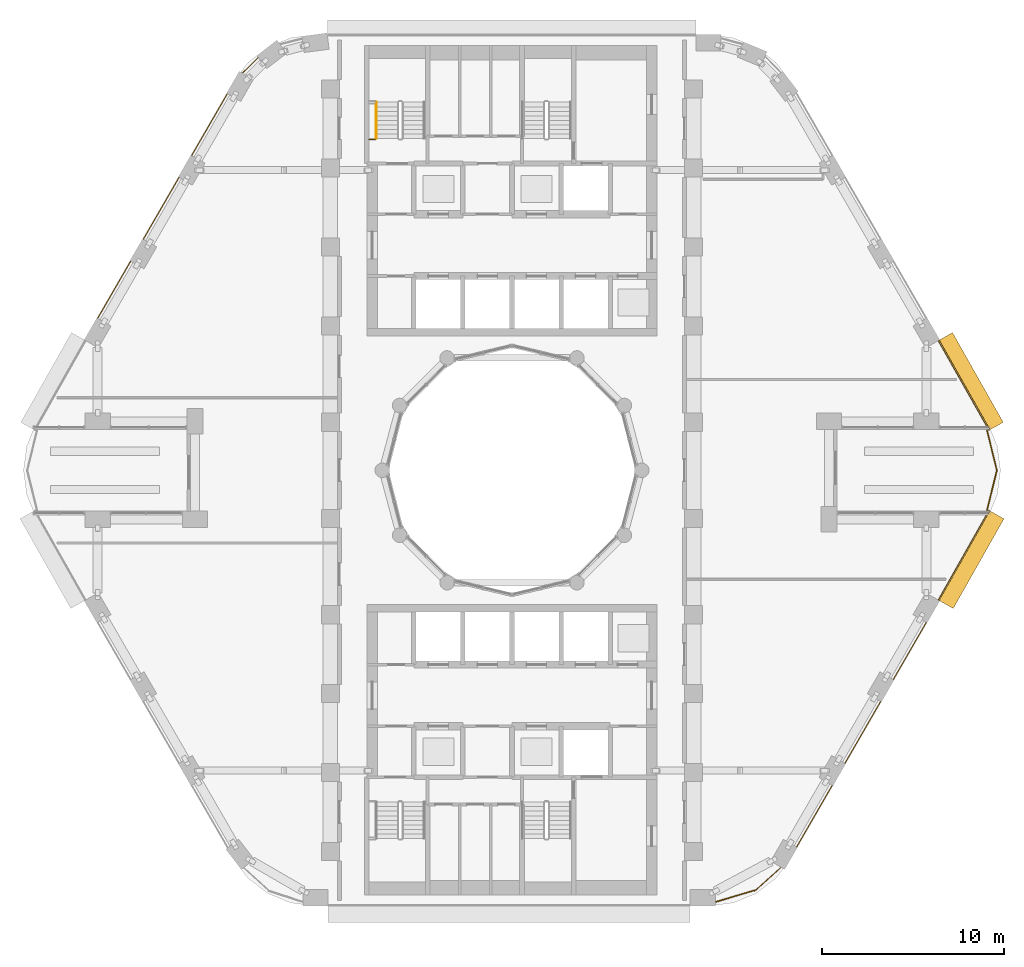
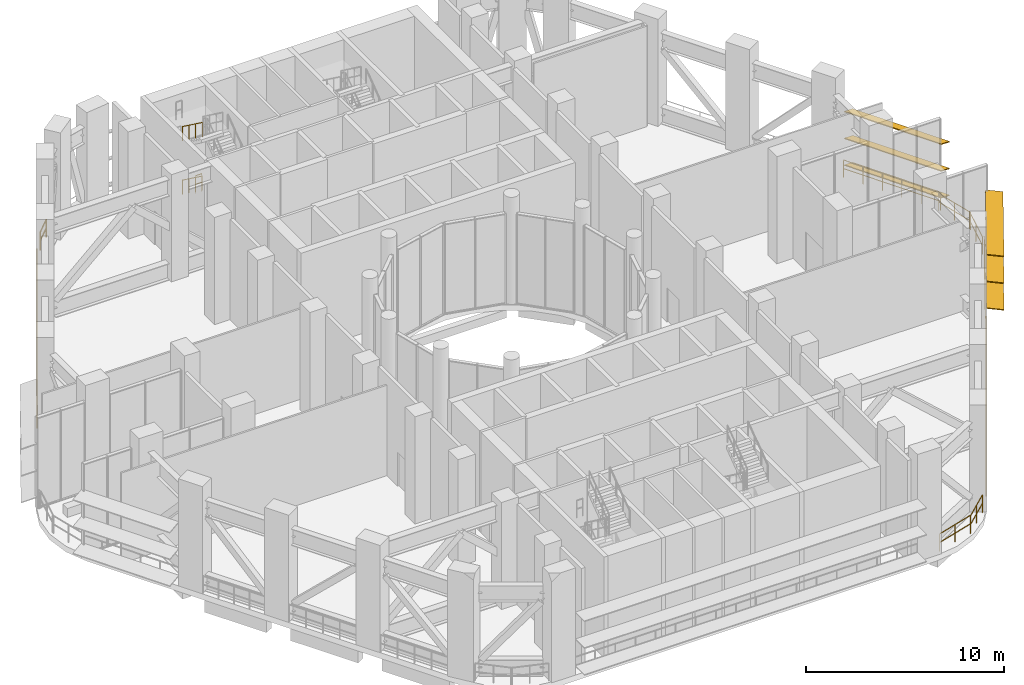
# One storey, part 18 of 21: 16 railings, 6 shading devices.
"""IFC4 building model written with IfcOpenShell, lengths in metres."""

from ifc_helpers import new_model, si_unit, direction, frame, origin, origin_2d, place, context, subcontext, project, spatial, rectangle, circle, extrude, material, material_profile, profile_set, type_object, element, save


model = new_model("IFC4")

# Units and contexts
model_context = context("Model", 3, precision=1e-05, world=origin(), true_north=direction((0.0, 1.0)))
body_context = subcontext(model_context, "Body", "Model", "MODEL_VIEW")
ifc_project = project(units=[si_unit("LENGTHUNIT", "METRE"), si_unit("AREAUNIT", "SQUARE_METRE"), si_unit("VOLUMEUNIT", "CUBIC_METRE"), si_unit("PLANEANGLEUNIT", "RADIAN"), si_unit("MASSUNIT", "GRAM", prefix="KILO")], contexts=[model_context])

# Site, building, storey
site_placement = place(None, origin())
site = spatial("IfcSite", under=ifc_project, at=site_placement, CompositionType="ELEMENT")
building_placement = place(site_placement, origin())
building = spatial("IfcBuilding", under=site, at=building_placement, Name="Nakaniwa Court", CompositionType="ELEMENT")
storey_placement = place(building_placement, frame((0.0, 0.0, 120.60009765625)))
storey = spatial("IfcBuildingStorey", under=building, at=storey_placement, Name="S2", CompositionType="ELEMENT", Elevation=120.60009765625)

# Railings
ifc_material_1 = material(Name="Black powder-coated steel flat bar balustrade S275", Category="steel")
railing_type_1 = type_object("IfcRailingType", Name="Black metal terrace guard 1100", PredefinedType="GUARDRAIL", material=ifc_material_1)
railing_1_placement = place(storey_placement, frame((106.27294921875, 82.20263671875, 0.0)))
element("IfcRailing", 1, at=railing_1_placement, inside=storey, type_object=railing_type_1, Name="S2 refuge band guard 02", PredefinedType="GUARDRAIL", context=body_context, shape_type="SweptSolid", body=[
    extrude(circle(Radius=0.02392578125, at=origin_2d()), frame((0.0, 0.0, 1.076171875), z_axis=(-0.492424278861, 0.870355289286, 0.0), x_axis=(-0.870355289286, -0.492424278861, 0.0)), (0.0, 0.0, 1.0), 5.67626953125),
    extrude(circle(Radius=0.02392578125, at=origin_2d()), frame((0.0, 0.0, 0.550048828125), z_axis=(-0.492424278861, 0.870355289286, 0.0), x_axis=(-0.870355289286, -0.492424278861, 0.0)), (0.0, 0.0, 1.0), 5.67626953125),
    extrude(circle(Radius=0.02099609375, at=origin_2d()), origin(), (0.0, 0.0, 1.0), 1.052001953125),
    extrude(circle(Radius=0.02099609375, at=origin_2d()), frame((-0.55908203125, 0.988037109375, 0.0)), (0.0, 0.0, 1.0), 1.052001953125),
    extrude(circle(Radius=0.02099609375, at=origin_2d()), frame((-1.1181640625, 1.97607421875, 0.0)), (0.0, 0.0, 1.0), 1.052001953125),
    extrude(circle(Radius=0.02099609375, at=origin_2d()), frame((-1.677001953125, 2.96435546875, 0.0)), (0.0, 0.0, 1.0), 1.052001953125),
    extrude(circle(Radius=0.02099609375, at=origin_2d()), frame((-2.236083984375, 3.952392578125, 0.0)), (0.0, 0.0, 1.0), 1.052001953125),
    extrude(circle(Radius=0.02099609375, at=origin_2d()), frame((-2.795166015625, 4.9404296875, 0.0)), (0.0, 0.0, 1.0), 1.052001953125),
])
railing_2_placement = place(storey_placement, frame((66.014892578125, 102.733642578125, 0.0)))
element("IfcRailing", 2, at=railing_2_placement, inside=storey, type_object=railing_type_1, Name="S2 refuge band guard 10", PredefinedType="GUARDRAIL", context=body_context, shape_type="SweptSolid", body=[
    extrude(circle(Radius=0.02392578125, at=origin_2d()), frame((0.0, 0.0, 1.076171875), z_axis=(-0.708951130843, -0.705257608309, 0.0), x_axis=(0.705257608309, -0.708951130843, 0.0)), (0.0, 0.0, 1.0), 1.189697265625),
    extrude(circle(Radius=0.02392578125, at=origin_2d()), frame((0.0, 0.0, 0.550048828125), z_axis=(-0.708951130843, -0.705257608309, 0.0), x_axis=(0.705257608309, -0.708951130843, 0.0)), (0.0, 0.0, 1.0), 1.189697265625),
    extrude(circle(Radius=0.02099609375, at=origin_2d()), origin(), (0.0, 0.0, 1.0), 1.052001953125),
    extrude(circle(Radius=0.02099609375, at=origin_2d()), frame((-0.843505859375, -0.839111328125, 0.0)), (0.0, 0.0, 1.0), 1.052001953125),
])
railing_3_placement = place(storey_placement, frame((64.322998046875, 100.746826171875, 0.0)))
element("IfcRailing", 3, at=railing_3_placement, inside=storey, type_object=railing_type_1, Name="S2 refuge band guard 11", PredefinedType="GUARDRAIL", context=body_context, shape_type="SweptSolid", body=[
    extrude(circle(Radius=0.02392578125, at=origin_2d()), frame((0.0, 0.0, 1.076171875), z_axis=(-0.499957037901, -0.866050206543, 0.0), x_axis=(0.866050206543, -0.499957037901, 0.0)), (0.0, 0.0, 1.0), 3.933837890625),
    extrude(circle(Radius=0.02392578125, at=origin_2d()), frame((0.0, 0.0, 0.550048828125), z_axis=(-0.499957037901, -0.866050206543, 0.0), x_axis=(0.866050206543, -0.499957037901, 0.0)), (0.0, 0.0, 1.0), 3.933837890625),
    extrude(circle(Radius=0.02099609375, at=origin_2d()), origin(), (0.0, 0.0, 1.0), 1.052001953125),
    extrude(circle(Radius=0.02099609375, at=origin_2d()), frame((-0.49169921875, -0.851806640625, 0.0)), (0.0, 0.0, 1.0), 1.052001953125),
    extrude(circle(Radius=0.02099609375, at=origin_2d()), frame((-0.9833984375, -1.70361328125, 0.0)), (0.0, 0.0, 1.0), 1.052001953125),
    extrude(circle(Radius=0.02099609375, at=origin_2d()), frame((-1.47509765625, -2.55517578125, 0.0)), (0.0, 0.0, 1.0), 1.052001953125),
    extrude(circle(Radius=0.02099609375, at=origin_2d()), frame((-1.966796875, -3.406982421875, 0.0)), (0.0, 0.0, 1.0), 1.052001953125),
])
railing_4_placement = place(storey_placement, frame((61.66015625, 96.134521484375, 0.0)))
element("IfcRailing", 4, at=railing_4_placement, inside=storey, type_object=railing_type_1, Name="S2 refuge band guard 12", PredefinedType="GUARDRAIL", context=body_context, shape_type="SweptSolid", body=[
    extrude(circle(Radius=0.02392578125, at=origin_2d()), frame((0.0, 0.0, 1.076171875), z_axis=(-0.500003583557, -0.866023334807, 0.0), x_axis=(0.866023334807, -0.500003583557, 0.0)), (0.0, 0.0, 1.0), 3.93408203125),
    extrude(circle(Radius=0.02392578125, at=origin_2d()), frame((0.0, 0.0, 0.550048828125), z_axis=(-0.500003583557, -0.866023334807, 0.0), x_axis=(0.866023334807, -0.500003583557, 0.0)), (0.0, 0.0, 1.0), 3.93408203125),
    extrude(circle(Radius=0.02099609375, at=origin_2d()), origin(), (0.0, 0.0, 1.0), 1.052001953125),
    extrude(circle(Radius=0.02099609375, at=origin_2d()), frame((-0.49169921875, -0.851806640625, 0.0)), (0.0, 0.0, 1.0), 1.052001953125),
    extrude(circle(Radius=0.02099609375, at=origin_2d()), frame((-0.9833984375, -1.70361328125, 0.0)), (0.0, 0.0, 1.0), 1.052001953125),
    extrude(circle(Radius=0.02099609375, at=origin_2d()), frame((-1.475341796875, -2.55517578125, 0.0)), (0.0, 0.0, 1.0), 1.052001953125),
    extrude(circle(Radius=0.02099609375, at=origin_2d()), frame((-1.967041015625, -3.406982421875, 0.0)), (0.0, 0.0, 1.0), 1.052001953125),
])
railing_5_placement = place(storey_placement, frame((58.9970703125, 91.52197265625, 0.0)))
element("IfcRailing", 5, at=railing_5_placement, inside=storey, type_object=railing_type_1, Name="S2 refuge band guard 13", PredefinedType="GUARDRAIL", context=body_context, shape_type="SweptSolid", body=[
    extrude(circle(Radius=0.02392578125, at=origin_2d()), frame((0.0, 0.0, 1.076171875), z_axis=(-0.499980071345, -0.866036909293, 0.0), x_axis=(0.866036909293, -0.499980071345, 0.0)), (0.0, 0.0, 1.0), 3.636962890625),
    extrude(circle(Radius=0.02392578125, at=origin_2d()), frame((0.0, 0.0, 0.550048828125), z_axis=(-0.499980071345, -0.866036909293, 0.0), x_axis=(0.866036909293, -0.499980071345, 0.0)), (0.0, 0.0, 1.0), 3.636962890625),
    extrude(circle(Radius=0.02099609375, at=origin_2d()), origin(), (0.0, 0.0, 1.0), 1.052001953125),
    extrude(circle(Radius=0.02099609375, at=origin_2d()), frame((-0.45458984375, -0.787353515625, 0.0)), (0.0, 0.0, 1.0), 1.052001953125),
    extrude(circle(Radius=0.02099609375, at=origin_2d()), frame((-0.9091796875, -1.57470703125, 0.0)), (0.0, 0.0, 1.0), 1.052001953125),
    extrude(circle(Radius=0.02099609375, at=origin_2d()), frame((-1.36376953125, -2.3623046875, 0.0)), (0.0, 0.0, 1.0), 1.052001953125),
    extrude(circle(Radius=0.02099609375, at=origin_2d()), frame((-1.818359375, -3.149658203125, 0.0)), (0.0, 0.0, 1.0), 1.052001953125),
])
railing_6_placement = place(storey_placement, frame((91.231689453125, 56.23388671875, 0.0)))
element("IfcRailing", 6, at=railing_6_placement, inside=storey, type_object=railing_type_1, Name="S2 refuge band guard 27", PredefinedType="GUARDRAIL", context=body_context, shape_type="SweptSolid", body=[
    extrude(circle(Radius=0.02392578125, at=origin_2d()), frame((0.0, 0.0, 1.076171875), z_axis=(0.958486145198, 0.285139105462, 0.0), x_axis=(-0.285139105462, 0.958486145198, 0.0)), (0.0, 0.0, 1.0), 2.26220703125),
    extrude(circle(Radius=0.02392578125, at=origin_2d()), frame((0.0, 0.0, 0.550048828125), z_axis=(0.958486145198, 0.285139105462, 0.0), x_axis=(-0.285139105462, 0.958486145198, 0.0)), (0.0, 0.0, 1.0), 2.26220703125),
    extrude(circle(Radius=0.02099609375, at=origin_2d()), origin(), (0.0, 0.0, 1.0), 1.052001953125),
    extrude(circle(Radius=0.02099609375, at=origin_2d()), frame((1.083984375, 0.322509765625, 0.0)), (0.0, 0.0, 1.0), 1.052001953125),
    extrude(circle(Radius=0.02099609375, at=origin_2d()), frame((2.168212890625, 0.64501953125, 0.0)), (0.0, 0.0, 1.0), 1.052001953125),
])
railing_7_placement = place(storey_placement, frame((93.350341796875, 56.812255859375, 0.0)))
element("IfcRailing", 7, at=railing_7_placement, inside=storey, type_object=railing_type_1, Name="S2 refuge band guard 28", PredefinedType="GUARDRAIL", context=body_context, shape_type="SweptSolid", body=[
    extrude(circle(Radius=0.02392578125, at=origin_2d()), frame((0.0, 0.0, 1.076171875), z_axis=(0.743785734967, 0.668418117992, 0.0), x_axis=(-0.668418117992, 0.743785734967, 0.0)), (0.0, 0.0, 1.0), 1.9501953125),
    extrude(circle(Radius=0.02392578125, at=origin_2d()), frame((0.0, 0.0, 0.550048828125), z_axis=(0.743785734967, 0.668418117992, 0.0), x_axis=(-0.668418117992, 0.743785734967, 0.0)), (0.0, 0.0, 1.0), 1.9501953125),
    extrude(circle(Radius=0.02099609375, at=origin_2d()), origin(), (0.0, 0.0, 1.0), 1.052001953125),
    extrude(circle(Radius=0.02099609375, at=origin_2d()), frame((0.72509765625, 0.65185546875, 0.0)), (0.0, 0.0, 1.0), 1.052001953125),
    extrude(circle(Radius=0.02099609375, at=origin_2d()), frame((1.450439453125, 1.303466796875, 0.0)), (0.0, 0.0, 1.0), 1.052001953125),
])
railing_8_placement = place(storey_placement, frame((95.677001953125, 59.253173828125, 0.0)))
element("IfcRailing", 8, at=railing_8_placement, inside=storey, type_object=railing_type_1, Name="S2 refuge band guard 29", PredefinedType="GUARDRAIL", context=body_context, shape_type="SweptSolid", body=[
    extrude(circle(Radius=0.02392578125, at=origin_2d()), frame((0.0, 0.0, 1.076171875), z_axis=(0.499957037901, 0.866050206543, 0.0), x_axis=(-0.866050206543, 0.499957037901, 0.0)), (0.0, 0.0, 1.0), 3.933837890625),
    extrude(circle(Radius=0.02392578125, at=origin_2d()), frame((0.0, 0.0, 0.550048828125), z_axis=(0.499957037901, 0.866050206543, 0.0), x_axis=(-0.866050206543, 0.499957037901, 0.0)), (0.0, 0.0, 1.0), 3.933837890625),
    extrude(circle(Radius=0.02099609375, at=origin_2d()), origin(), (0.0, 0.0, 1.0), 1.052001953125),
    extrude(circle(Radius=0.02099609375, at=origin_2d()), frame((0.49169921875, 0.851806640625, 0.0)), (0.0, 0.0, 1.0), 1.052001953125),
    extrude(circle(Radius=0.02099609375, at=origin_2d()), frame((0.9833984375, 1.70361328125, 0.0)), (0.0, 0.0, 1.0), 1.052001953125),
    extrude(circle(Radius=0.02099609375, at=origin_2d()), frame((1.47509765625, 2.55517578125, 0.0)), (0.0, 0.0, 1.0), 1.052001953125),
    extrude(circle(Radius=0.02099609375, at=origin_2d()), frame((1.966796875, 3.406982421875, 0.0)), (0.0, 0.0, 1.0), 1.052001953125),
])
railing_9_placement = place(storey_placement, frame((98.33984375, 63.865478515625, 0.0)))
element("IfcRailing", 9, at=railing_9_placement, inside=storey, type_object=railing_type_1, Name="S2 refuge band guard 30", PredefinedType="GUARDRAIL", context=body_context, shape_type="SweptSolid", body=[
    extrude(circle(Radius=0.02392578125, at=origin_2d()), frame((0.0, 0.0, 1.076171875), z_axis=(0.500003583557, 0.866023334807, 0.0), x_axis=(-0.866023334807, 0.500003583557, 0.0)), (0.0, 0.0, 1.0), 3.93408203125),
    extrude(circle(Radius=0.02392578125, at=origin_2d()), frame((0.0, 0.0, 0.550048828125), z_axis=(0.500003583557, 0.866023334807, 0.0), x_axis=(-0.866023334807, 0.500003583557, 0.0)), (0.0, 0.0, 1.0), 3.93408203125),
    extrude(circle(Radius=0.02099609375, at=origin_2d()), origin(), (0.0, 0.0, 1.0), 1.052001953125),
    extrude(circle(Radius=0.02099609375, at=origin_2d()), frame((0.49169921875, 0.851806640625, 0.0)), (0.0, 0.0, 1.0), 1.052001953125),
    extrude(circle(Radius=0.02099609375, at=origin_2d()), frame((0.9833984375, 1.70361328125, 0.0)), (0.0, 0.0, 1.0), 1.052001953125),
    extrude(circle(Radius=0.02099609375, at=origin_2d()), frame((1.475341796875, 2.55517578125, 0.0)), (0.0, 0.0, 1.0), 1.052001953125),
    extrude(circle(Radius=0.02099609375, at=origin_2d()), frame((1.967041015625, 3.406982421875, 0.0)), (0.0, 0.0, 1.0), 1.052001953125),
])
railing_10_placement = place(storey_placement, frame((101.0029296875, 68.47802734375, 0.0)))
element("IfcRailing", 10, at=railing_10_placement, inside=storey, type_object=railing_type_1, Name="S2 refuge band guard 31", PredefinedType="GUARDRAIL", context=body_context, shape_type="SweptSolid", body=[
    extrude(circle(Radius=0.02392578125, at=origin_2d()), frame((0.0, 0.0, 1.076171875), z_axis=(0.499980071345, 0.866036909293, 0.0), x_axis=(-0.866036909293, 0.499980071345, 0.0)), (0.0, 0.0, 1.0), 3.636962890625),
    extrude(circle(Radius=0.02392578125, at=origin_2d()), frame((0.0, 0.0, 0.550048828125), z_axis=(0.499980071345, 0.866036909293, 0.0), x_axis=(-0.866036909293, 0.499980071345, 0.0)), (0.0, 0.0, 1.0), 3.636962890625),
    extrude(circle(Radius=0.02099609375, at=origin_2d()), origin(), (0.0, 0.0, 1.0), 1.052001953125),
    extrude(circle(Radius=0.02099609375, at=origin_2d()), frame((0.45458984375, 0.787353515625, 0.0)), (0.0, 0.0, 1.0), 1.052001953125),
    extrude(circle(Radius=0.02099609375, at=origin_2d()), frame((0.9091796875, 1.57470703125, 0.0)), (0.0, 0.0, 1.0), 1.052001953125),
    extrude(circle(Radius=0.02099609375, at=origin_2d()), frame((1.36376953125, 2.3623046875, 0.0)), (0.0, 0.0, 1.0), 1.052001953125),
    extrude(circle(Radius=0.02099609375, at=origin_2d()), frame((1.818359375, 3.149658203125, 0.0)), (0.0, 0.0, 1.0), 1.052001953125),
])
railing_11_placement = place(storey_placement, frame((103.477783203125, 72.85693359375, 0.0)))
element("IfcRailing", 11, at=railing_11_placement, inside=storey, type_object=railing_type_1, Name="S2 refuge band guard 32", PredefinedType="GUARDRAIL", context=body_context, shape_type="SweptSolid", body=[
    extrude(circle(Radius=0.02392578125, at=origin_2d()), frame((0.0, 0.0, 1.076171875), z_axis=(0.492424278861, 0.870355289286, 0.0), x_axis=(-0.870355289286, 0.492424278861, 0.0)), (0.0, 0.0, 1.0), 5.67626953125),
    extrude(circle(Radius=0.02392578125, at=origin_2d()), frame((0.0, 0.0, 0.550048828125), z_axis=(0.492424278861, 0.870355289286, 0.0), x_axis=(-0.870355289286, 0.492424278861, 0.0)), (0.0, 0.0, 1.0), 5.67626953125),
    extrude(circle(Radius=0.02099609375, at=origin_2d()), origin(), (0.0, 0.0, 1.0), 1.052001953125),
    extrude(circle(Radius=0.02099609375, at=origin_2d()), frame((0.55908203125, 0.988037109375, 0.0)), (0.0, 0.0, 1.0), 1.052001953125),
    extrude(circle(Radius=0.02099609375, at=origin_2d()), frame((1.1181640625, 1.97607421875, 0.0)), (0.0, 0.0, 1.0), 1.052001953125),
    extrude(circle(Radius=0.02099609375, at=origin_2d()), frame((1.677001953125, 2.96435546875, 0.0)), (0.0, 0.0, 1.0), 1.052001953125),
    extrude(circle(Radius=0.02099609375, at=origin_2d()), frame((2.236083984375, 3.952392578125, 0.0)), (0.0, 0.0, 1.0), 1.052001953125),
    extrude(circle(Radius=0.02099609375, at=origin_2d()), frame((2.795166015625, 4.9404296875, 0.0)), (0.0, 0.0, 1.0), 1.052001953125),
])
railing_12_placement = place(storey_placement, frame((106.1640625, 77.79736328125, 0.0)))
element("IfcRailing", 12, at=railing_12_placement, inside=storey, type_object=railing_type_1, Name="S2 sky garden terrace 2 guard 1", PredefinedType="GUARDRAIL", context=body_context, shape_type="SweptSolid", body=[
    extrude(circle(Radius=0.02392578125, at=origin_2d()), frame((0.0, 0.0, 1.076171875), z_axis=(0.238169012128, 0.971223723795, 0.0), x_axis=(-0.971223723795, 0.238169012128, 0.0)), (0.0, 0.0, 1.0), 2.316650390625),
    extrude(circle(Radius=0.02392578125, at=origin_2d()), frame((0.0, 0.0, 0.550048828125), z_axis=(0.238169012128, 0.971223723795, 0.0), x_axis=(-0.971223723795, 0.238169012128, 0.0)), (0.0, 0.0, 1.0), 2.316650390625),
    extrude(circle(Radius=0.02099609375, at=origin_2d()), origin(), (0.0, 0.0, 1.0), 1.052001953125),
    extrude(circle(Radius=0.02099609375, at=origin_2d()), frame((0.27587890625, 1.125, 0.0)), (0.0, 0.0, 1.0), 1.052001953125),
    extrude(circle(Radius=0.02099609375, at=origin_2d()), frame((0.5517578125, 2.25, 0.0)), (0.0, 0.0, 1.0), 1.052001953125),
])
railing_13_placement = place(storey_placement, frame((106.7158203125, 79.95263671875, 0.0)))
element("IfcRailing", 13, at=railing_13_placement, inside=storey, type_object=railing_type_1, Name="S2 sky garden terrace 2 guard 2", PredefinedType="GUARDRAIL", context=body_context, shape_type="SweptSolid", body=[
    extrude(circle(Radius=0.02392578125, at=origin_2d()), frame((0.0, 0.0, 1.076171875), z_axis=(-0.238169012128, 0.971223723795, 0.0), x_axis=(-0.971223723795, -0.238169012128, 0.0)), (0.0, 0.0, 1.0), 2.316650390625),
    extrude(circle(Radius=0.02392578125, at=origin_2d()), frame((0.0, 0.0, 0.550048828125), z_axis=(-0.238169012128, 0.971223723795, 0.0), x_axis=(-0.971223723795, -0.238169012128, 0.0)), (0.0, 0.0, 1.0), 2.316650390625),
    extrude(circle(Radius=0.02099609375, at=origin_2d()), origin(), (0.0, 0.0, 1.0), 1.052001953125),
    extrude(circle(Radius=0.02099609375, at=origin_2d()), frame((-0.27587890625, 1.125, 0.0)), (0.0, 0.0, 1.0), 1.052001953125),
    extrude(circle(Radius=0.02099609375, at=origin_2d()), frame((-0.5517578125, 2.25, 0.0)), (0.0, 0.0, 1.0), 1.052001953125),
])

# Shading devices
ifc_material_2 = material(Name="Perforated charcoal ceramic louvre blade")
ifc_material_profile = material_profile(ifc_material_2, rectangle(XDim=0.89990234375, YDim=0.050048828125, at=origin_2d()), Name="Perforated ceramic louvre blade")
ifc_profile_set = profile_set([ifc_material_profile], Name="Perforated charcoal ceramic louvre blade")
shading_device_type = type_object("IfcShadingDeviceType", Name="Perforated ceramic louvre blade", PredefinedType="JALOUSIE", material=ifc_profile_set)
for number, where, z_axis, x_axis, name in (
    (14, (106.68701171875, 82.436767578125, 0.5498046875), (-0.492456858874, 0.870336855561, 0.0), (-0.804666487716, -0.455299035597, 0.38107037635), "S2 perforated ceramic louvre blade s02 1"),
    (15, (106.68701171875, 82.436767578125, 2.199951171875), (-0.492456858874, 0.870336855561, 0.0), (-0.804666487716, -0.455299035597, 0.38107037635), "S2 perforated ceramic louvre blade s02 2"),
    (16, (106.68701171875, 82.436767578125, 3.849853515625), (-0.492456858874, 0.870336855561, 0.0), (-0.804666487716, -0.455299035597, 0.38107037635), "S2 perforated ceramic louvre blade s02 3"),
):
    element("IfcShadingDevice", number, at=place(storey_placement, frame(where, z_axis=z_axis, x_axis=x_axis)), inside=storey, type_object=shading_device_type, Name=name, PredefinedType="JALOUSIE", context=body_context, shape_type="SweptSolid", body=[
        extrude(rectangle(XDim=0.89990234375, YDim=0.050048828125, at=origin_2d()), origin(), (0.0, 0.0, 1.0), 5.676513671875),
    ])
for number, where, z_axis, x_axis, name in (
    (17, (103.912353515625, 72.611083984375, 0.5498046875), (0.492424278861, 0.870355289286, 0.0), (-0.86270968828, 0.488098597604, 0.132256390257), "S2 perforated ceramic louvre blade s32 1"),
    (18, (103.912353515625, 72.611083984375, 2.199951171875), (0.492424278861, 0.870355289286, 0.0), (-0.86270968828, 0.488098597604, 0.132256390257), "S2 perforated ceramic louvre blade s32 2"),
    (19, (103.912353515625, 72.611083984375, 3.849853515625), (0.492424278861, 0.870355289286, 0.0), (-0.86270968828, 0.488098597604, 0.132256390257), "S2 perforated ceramic louvre blade s32 3"),
):
    element("IfcShadingDevice", number, at=place(storey_placement, frame(where, z_axis=z_axis, x_axis=x_axis)), inside=storey, type_object=shading_device_type, Name=name, PredefinedType="JALOUSIE", context=body_context, shape_type="SweptSolid", body=[
        extrude(rectangle(XDim=0.89990234375, YDim=0.050048828125, at=origin_2d()), origin(), (0.0, 0.0, 1.0), 5.67626953125),
    ])

# Railings
ifc_material_3 = material(Name="Black powder coated steel guard", Category="steel")
railing_type_2 = type_object("IfcRailingType", Name="Stair guard 1100", PredefinedType="GUARDRAIL", material=ifc_material_3)
railing_14_placement = place(storey_placement, frame((72.125, 98.22509765625, 3.2998046875)))
element("IfcRailing", 20, at=railing_14_placement, inside=storey, type_object=railing_type_2, Name="S2 ST1 landing side guard 2W", PredefinedType="GUARDRAIL", context=body_context, shape_type="SweptSolid", body=[
    extrude(circle(Radius=0.02392578125, at=origin_2d()), frame((0.0, 0.0, 1.076171875), z_axis=(1.0, 0.0, 0.0), x_axis=(0.0, 1.0, 0.0)), (0.0, 0.0, 1.0), 0.35009765625),
    extrude(circle(Radius=0.02392578125, at=origin_2d()), frame((0.0, 0.0, 0.550048828125), z_axis=(1.0, 0.0, 0.0), x_axis=(0.0, 1.0, 0.0)), (0.0, 0.0, 1.0), 0.35009765625),
    extrude(circle(Radius=0.02099609375, at=origin_2d()), origin(), (0.0, 0.0, 1.0), 1.052001953125),
    extrude(circle(Radius=0.02099609375, at=origin_2d()), frame((0.35009765625, 0.0, 0.0)), (0.0, 0.0, 1.0), 1.052001953125),
])
ifc_material_4 = material(Name="Black powder coated steel handrail", Category="steel")
railing_type_3 = type_object("IfcRailingType", Name="Stair handrail 900", PredefinedType="HANDRAIL", material=ifc_material_4)
for number, where, name in (
    (21, (72.52490234375, 100.27490234375, 1.833251953125), "S2 ST1 stair handrail 2"),
    (22, (72.52490234375, 100.27490234375, 5.13330078125), "S2 ST1 stair handrail 4"),
):
    element("IfcRailing", number, at=place(storey_placement, frame(where)), inside=storey, type_object=railing_type_3, Name=name, PredefinedType="HANDRAIL", context=body_context, shape_type="SweptSolid", body=[
        extrude(circle(Radius=0.02392578125, at=origin_2d()), frame((0.0, 0.0, 0.8759765625), z_axis=(0.0, -0.806426902644, 0.591333789573), x_axis=(1.0, 0.0, 0.0)), (0.0, 0.0, 1.0), 2.47998046875),
        extrude(circle(Radius=0.02099609375, at=origin_2d()), origin(), (0.0, 0.0, 1.0), 0.851806640625),
        extrude(circle(Radius=0.02099609375, at=origin_2d()), frame((0.0, -0.666748046875, 0.48876953125)), (0.0, 0.0, 1.0), 0.851806640625),
        extrude(circle(Radius=0.02099609375, at=origin_2d()), frame((0.0, -1.333251953125, 0.977783203125)), (0.0, 0.0, 1.0), 0.851806640625),
        extrude(circle(Radius=0.02099609375, at=origin_2d()), frame((0.0, -2.0, 1.466552734375)), (0.0, 0.0, 1.0), 0.851806640625),
    ])

save(model, "model.ifc")
